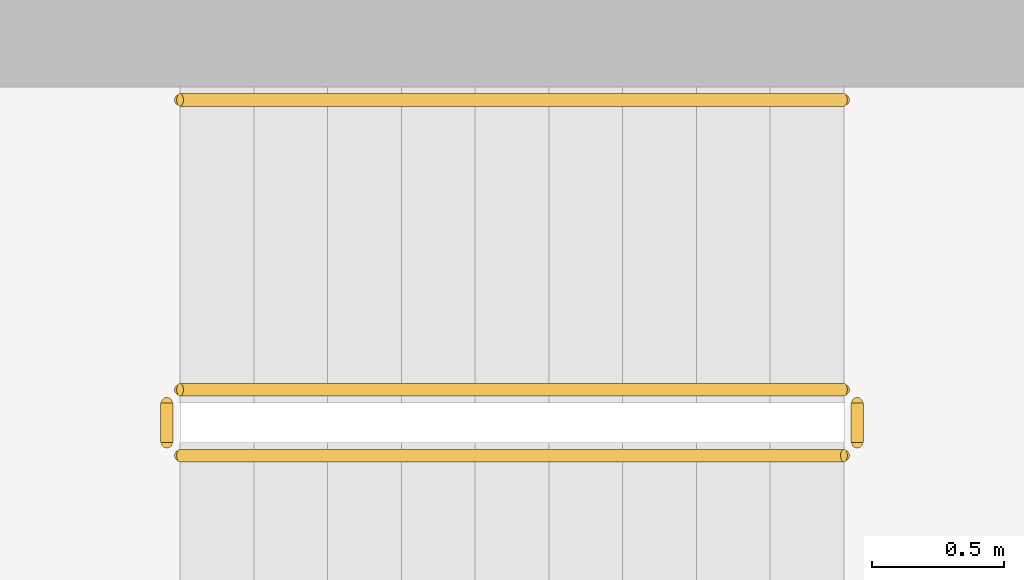
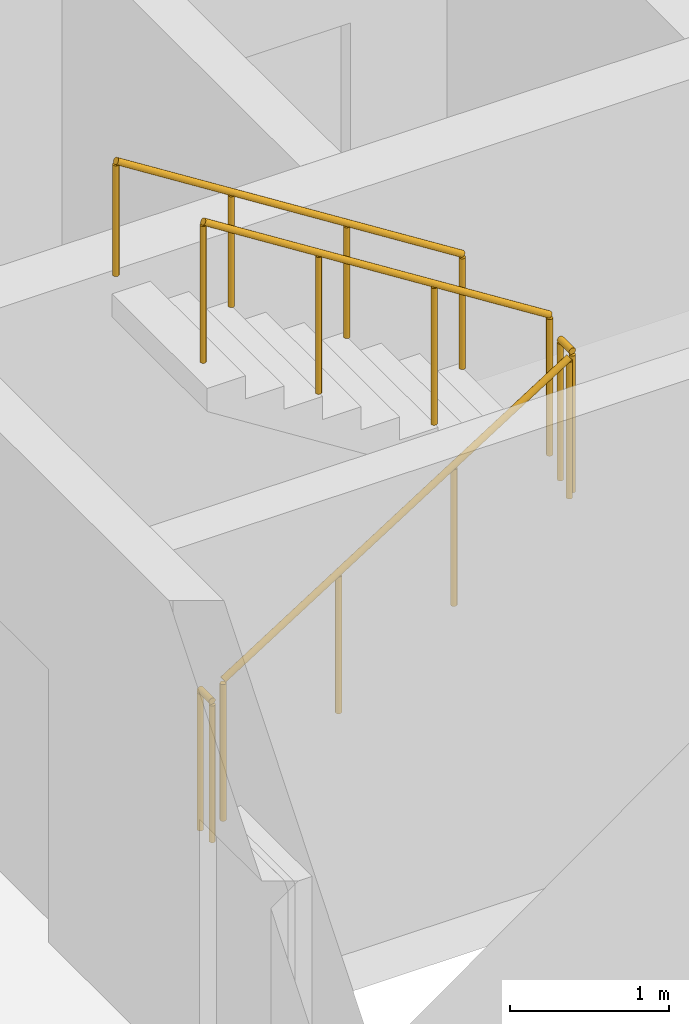
# One storey, part 15 of 17: 5 railings.
"""IFC4 building model written with IfcOpenShell, lengths in metres."""

from ifc_helpers import new_model, si_unit, direction, frame, origin, origin_2d, place, context, subcontext, project, spatial, circle, extrude, material, type_object, element, save


model = new_model("IFC4")

# Units and contexts
model_context = context("Model", 3, precision=1e-05, world=origin(), true_north=direction((0.0, 1.0)))
body_context = subcontext(model_context, "Body", "Model", "MODEL_VIEW")
ifc_project = project(units=[si_unit("LENGTHUNIT", "METRE"), si_unit("AREAUNIT", "SQUARE_METRE"), si_unit("VOLUMEUNIT", "CUBIC_METRE"), si_unit("PLANEANGLEUNIT", "RADIAN"), si_unit("MASSUNIT", "GRAM", prefix="KILO")], contexts=[model_context])

# Site, building, storey
site_placement = place(None, origin())
site = spatial("IfcSite", under=ifc_project, at=site_placement, CompositionType="ELEMENT")
building_placement = place(site_placement, origin())
building = spatial("IfcBuilding", under=site, at=building_placement, Name="Ostrand Prow Hotel Tower", CompositionType="ELEMENT")
storey_placement = place(building_placement, frame((0.0, 0.0, 158.60009765625)))
storey = spatial("IfcBuildingStorey", under=building, at=storey_placement, Name="L39", CompositionType="ELEMENT", Elevation=158.60009765625)

# Railings
ifc_material_1 = material(Name="Painted steel", Category="steel")
railing_type_1 = type_object("IfcRailingType", Name="Stair guard 1100", PredefinedType="GUARDRAIL", material=ifc_material_1)
railing_1_placement = place(storey_placement, frame((57.199951171875, -11.75, 0.177490234375)))
element("IfcRailing", 1, at=railing_1_placement, inside=storey, type_object=railing_type_1, Name="L39 ST2C stair guard 1", PredefinedType="GUARDRAIL", context=body_context, shape_type="SweptSolid", body=[
    extrude(circle(Radius=0.02392578125, at=origin_2d()), frame((0.0, 0.0, 1.076171875), z_axis=(0.84460694969, 0.0, 0.535386869969), x_axis=(0.0, 1.0, 0.0)), (0.0, 0.0, 1.0), 2.983642578125),
    extrude(circle(Radius=0.02099609375, at=origin_2d()), origin(), (0.0, 0.0, 1.0), 1.052001953125),
    extrude(circle(Radius=0.02099609375, at=origin_2d()), frame((0.840087890625, 0.0, 0.532470703125)), (0.0, 0.0, 1.0), 1.052001953125),
    extrude(circle(Radius=0.02099609375, at=origin_2d()), frame((1.679931640625, 0.0, 1.06494140625)), (0.0, 0.0, 1.0), 1.052001953125),
    extrude(circle(Radius=0.02099609375, at=origin_2d()), frame((2.52001953125, 0.0, 1.597412109375)), (0.0, 0.0, 1.0), 1.052001953125),
])
railing_2_placement = place(storey_placement, frame((59.77001953125, -11.699951171875, 1.77490234375)))
element("IfcRailing", 2, at=railing_2_placement, inside=storey, type_object=railing_type_1, Name="L39 ST2C stair guard 2", PredefinedType="GUARDRAIL", context=body_context, shape_type="SweptSolid", body=[
    extrude(circle(Radius=0.02392578125, at=origin_2d()), frame((0.0, 0.0, 1.076171875), z_axis=(0.0, 1.0, 0.0), x_axis=(-1.0, 0.0, 0.0)), (0.0, 0.0, 1.0), 0.14990234375),
    extrude(circle(Radius=0.02099609375, at=origin_2d()), origin(), (0.0, 0.0, 1.0), 1.052001953125),
    extrude(circle(Radius=0.02099609375, at=origin_2d()), frame((0.0, 0.14990234375, 0.0)), (0.0, 0.0, 1.0), 1.052001953125),
])
railing_3_placement = place(storey_placement, frame((59.719970703125, -11.5, 1.952392578125)))
element("IfcRailing", 3, at=railing_3_placement, inside=storey, type_object=railing_type_1, Name="L39 ST2C stair guard 3", PredefinedType="GUARDRAIL", context=body_context, shape_type="SweptSolid", body=[
    extrude(circle(Radius=0.02392578125, at=origin_2d()), frame((0.0, 0.0, 1.076171875), z_axis=(-0.84460694969, 0.0, 0.535386869969), x_axis=(0.0, -1.0, 0.0)), (0.0, 0.0, 1.0), 2.983642578125),
    extrude(circle(Radius=0.02099609375, at=origin_2d()), origin(), (0.0, 0.0, 1.0), 1.052001953125),
    extrude(circle(Radius=0.02099609375, at=origin_2d()), frame((-0.840087890625, 0.0, 0.532470703125)), (0.0, 0.0, 1.0), 1.052001953125),
    extrude(circle(Radius=0.02099609375, at=origin_2d()), frame((-1.679931640625, 0.0, 1.06494140625)), (0.0, 0.0, 1.0), 1.052001953125),
    extrude(circle(Radius=0.02099609375, at=origin_2d()), frame((-2.52001953125, 0.0, 1.597412109375)), (0.0, 0.0, 1.0), 1.052001953125),
])
railing_4_placement = place(storey_placement, frame((57.14990234375, -11.699951171875, 0.0)))
element("IfcRailing", 4, at=railing_4_placement, inside=storey, type_object=railing_type_1, Name="L39 ST2C stair guard 4", PredefinedType="GUARDRAIL", context=body_context, shape_type="SweptSolid", body=[
    extrude(circle(Radius=0.02392578125, at=origin_2d()), frame((0.0, 0.0, 1.076171875), z_axis=(0.0, 1.0, 0.0), x_axis=(-1.0, 0.0, 0.0)), (0.0, 0.0, 1.0), 0.14990234375),
    extrude(circle(Radius=0.02099609375, at=origin_2d()), origin(), (0.0, 0.0, 1.0), 1.052001953125),
    extrude(circle(Radius=0.02099609375, at=origin_2d()), frame((0.0, 0.14990234375, 0.0)), (0.0, 0.0, 1.0), 1.052001953125),
])
ifc_material_2 = material(Name="Stainless steel", Category="steel")
railing_type_2 = type_object("IfcRailingType", Name="Stair handrail 900", PredefinedType="HANDRAIL", material=ifc_material_2)
railing_5_placement = place(storey_placement, frame((59.719970703125, -10.39990234375, 1.952392578125)))
element("IfcRailing", 5, at=railing_5_placement, inside=storey, type_object=railing_type_2, Name="L39 ST2C stair handrail 2", PredefinedType="HANDRAIL", context=body_context, shape_type="SweptSolid", body=[
    extrude(circle(Radius=0.02392578125, at=origin_2d()), frame((0.0, 0.0, 0.8759765625), z_axis=(-0.84460694969, 0.0, 0.535386869969), x_axis=(0.0, -1.0, 0.0)), (0.0, 0.0, 1.0), 2.983642578125),
    extrude(circle(Radius=0.02099609375, at=origin_2d()), origin(), (0.0, 0.0, 1.0), 0.851806640625),
    extrude(circle(Radius=0.02099609375, at=origin_2d()), frame((-0.840087890625, 0.0, 0.532470703125)), (0.0, 0.0, 1.0), 0.851806640625),
    extrude(circle(Radius=0.02099609375, at=origin_2d()), frame((-1.679931640625, 0.0, 1.06494140625)), (0.0, 0.0, 1.0), 0.851806640625),
    extrude(circle(Radius=0.02099609375, at=origin_2d()), frame((-2.52001953125, 0.0, 1.597412109375)), (0.0, 0.0, 1.0), 0.851806640625),
])

save(model, "model.ifc")
